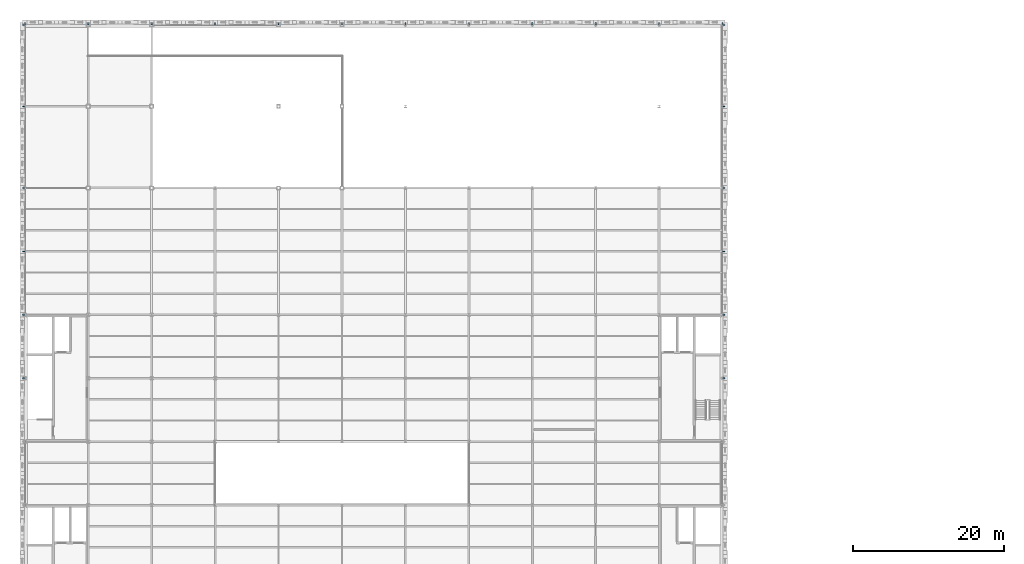
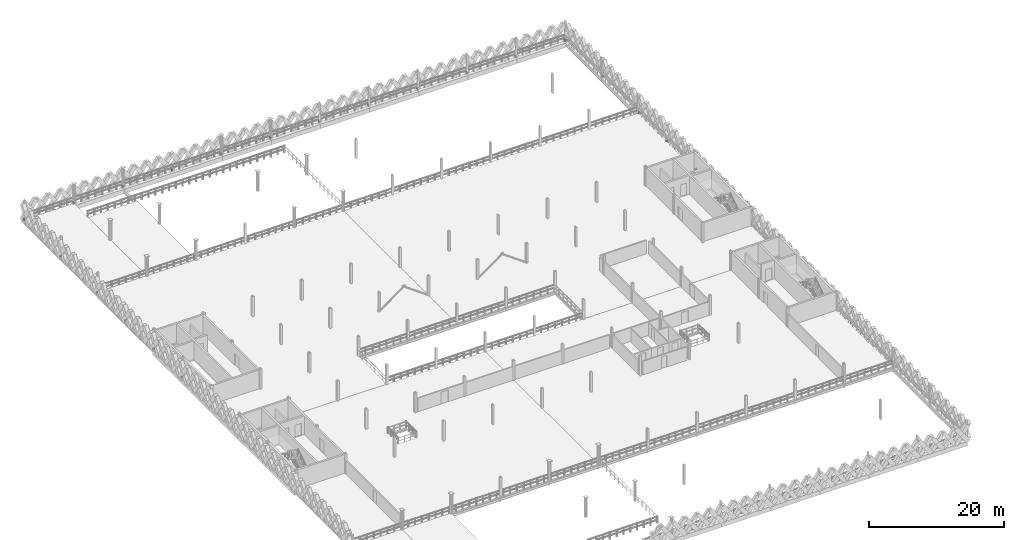
# One storey, part 30 of 47: 24 members.
"""IFC4 building model written with IfcOpenShell, lengths in metres."""

from ifc_helpers import new_model, si_unit, direction, frame, origin, origin_2d, place, context, subcontext, project, spatial, hollow_rectangle, extrude, material, material_profile, profile_set, type_object, element, save


model = new_model("IFC4")

# Units and contexts
model_context = context("Model", 3, precision=1e-05, world=origin(), true_north=direction((0.0, 1.0)))
body_context = subcontext(model_context, "Body", "Model", "MODEL_VIEW")
ifc_project = project(units=[si_unit("LENGTHUNIT", "METRE"), si_unit("AREAUNIT", "SQUARE_METRE"), si_unit("VOLUMEUNIT", "CUBIC_METRE"), si_unit("PLANEANGLEUNIT", "RADIAN"), si_unit("MASSUNIT", "GRAM", prefix="KILO"), si_unit("THERMODYNAMICTEMPERATUREUNIT", "KELVIN"), si_unit("POWERUNIT", "WATT")], contexts=[model_context])

# Site, building, storey
site_placement = place(None, origin())
site = spatial("IfcSite", under=ifc_project, at=site_placement, CompositionType="ELEMENT")
building_placement = place(site_placement, origin())
building = spatial("IfcBuilding", under=site, at=building_placement, Name="Tembeka Court Mobility Hub", CompositionType="ELEMENT")
storey_placement = place(building_placement, frame((0.0, 0.0, 19.800048828125)))
storey = spatial("IfcBuildingStorey", under=building, at=storey_placement, Name="L05", CompositionType="ELEMENT", Elevation=19.800048828125)

# Members
ifc_material = material(Name="Steel S355", Category="steel")
ifc_material_profile = material_profile(ifc_material, hollow_rectangle(XDim=0.14990234375, YDim=0.300048828125, WallThickness=0.010009765625, at=origin_2d()), Name="RHS 300x150x10")
ifc_profile_set = profile_set([ifc_material_profile], Name="Steel S355")
member_type = type_object("IfcMemberType", Name="MEM-ST03", PredefinedType="STRUT", material=ifc_profile_set)
for number, where, z_axis, x_axis, name in (
    (1, (0.0, 118.800048828125, 0.02001953125), (0.0, 1.0, 0.0), (-1.0, 0.0, 0.0), "Lattice outrigger tie SR03 (L05-Y-0)"),
    (2, (8.39990234375, 118.800048828125, 0.02001953125), (0.0, 1.0, 0.0), (-1.0, 0.0, 0.0), "Lattice outrigger tie SR03 (L05-Y-8)"),
    (3, (16.800048828125, 118.800048828125, 0.02001953125), (0.0, 1.0, 0.0), (-1.0, 0.0, 0.0), "Lattice outrigger tie SR03 (L05-Y-16)"),
    (4, (25.199951171875, 118.800048828125, 0.02001953125), (0.0, 1.0, 0.0), (-1.0, 0.0, 0.0), "Lattice outrigger tie SR03 (L05-Y-25)"),
    (5, (33.60009765625, 118.800048828125, 0.02001953125), (0.0, 1.0, 0.0), (-1.0, 0.0, 0.0), "Lattice outrigger tie SR03 (L05-Y-33)"),
    (6, (42.0, 118.800048828125, 0.02001953125), (0.0, 1.0, 0.0), (-1.0, 0.0, 0.0), "Lattice outrigger tie SR03 (L05-Y-42)"),
    (7, (50.39990234375, 118.800048828125, 0.02001953125), (0.0, 1.0, 0.0), (-1.0, 0.0, 0.0), "Lattice outrigger tie SR03 (L05-Y-50)"),
    (8, (58.800048828125, 118.800048828125, 0.02001953125), (0.0, 1.0, 0.0), (-1.0, 0.0, 0.0), "Lattice outrigger tie SR03 (L05-Y-58)"),
    (9, (67.199951171875, 118.800048828125, 0.02001953125), (0.0, 1.0, 0.0), (-1.0, 0.0, 0.0), "Lattice outrigger tie SR03 (L05-Y-67)"),
    (10, (75.60009765625, 118.800048828125, 0.02001953125), (0.0, 1.0, 0.0), (-1.0, 0.0, 0.0), "Lattice outrigger tie SR03 (L05-Y-75)"),
    (11, (84.0, 118.800048828125, 0.02001953125), (0.0, 1.0, 0.0), (-1.0, 0.0, 0.0), "Lattice outrigger tie SR03 (L05-Y-84)"),
    (12, (92.39990234375, 118.800048828125, 0.02001953125), (0.0, 1.0, 0.0), (-1.0, 0.0, 0.0), "Lattice outrigger tie SR03 (L05-Y-92)"),
):
    element("IfcMember", number, at=place(storey_placement, frame(where, z_axis=z_axis, x_axis=x_axis)), inside=storey, type_object=member_type, Name=name, PredefinedType="STRUT", context=body_context, shape_type="SweptSolid", body=[
        extrude(hollow_rectangle(XDim=0.14990234375, YDim=0.300048828125, WallThickness=0.010009765625, at=origin_2d()), origin(), (0.0, 0.0, 1.0), 0.33984375),
    ])
for number, where, z_axis, x_axis, name in (
    (13, (0.0, 72.0, 0.02001953125), (-1.0, 0.0, 0.0), (0.0, -1.0, 0.0), "Lattice outrigger tie SR03 (L05-X-72)"),
    (14, (92.39990234375, 72.0, 0.02001953125), (1.0, 0.0, 0.0), (0.0, 1.0, 0.0), "Lattice outrigger tie SR03 (L05-X-72)"),
    (15, (0.0, 80.39990234375, 0.02001953125), (-1.0, 0.0, 0.0), (0.0, -1.0, 0.0), "Lattice outrigger tie SR03 (L05-X-80)"),
    (16, (92.39990234375, 80.39990234375, 0.02001953125), (1.0, 0.0, 0.0), (0.0, 1.0, 0.0), "Lattice outrigger tie SR03 (L05-X-80)"),
    (17, (0.0, 88.800048828125, 0.02001953125), (-1.0, 0.0, 0.0), (0.0, -1.0, 0.0), "Lattice outrigger tie SR03 (L05-X-88)"),
    (18, (92.39990234375, 88.800048828125, 0.02001953125), (1.0, 0.0, 0.0), (0.0, 1.0, 0.0), "Lattice outrigger tie SR03 (L05-X-88)"),
    (19, (0.0, 97.199951171875, 0.02001953125), (-1.0, 0.0, 0.0), (0.0, -1.0, 0.0), "Lattice outrigger tie SR03 (L05-X-97)"),
    (20, (92.39990234375, 97.199951171875, 0.02001953125), (1.0, 0.0, 0.0), (0.0, 1.0, 0.0), "Lattice outrigger tie SR03 (L05-X-97)"),
    (21, (0.0, 108.0, 0.02001953125), (-1.0, 0.0, 0.0), (0.0, -1.0, 0.0), "Lattice outrigger tie SR03 (L05-X-108)"),
    (22, (92.39990234375, 108.0, 0.02001953125), (1.0, 0.0, 0.0), (0.0, 1.0, 0.0), "Lattice outrigger tie SR03 (L05-X-108)"),
    (23, (0.0, 118.800048828125, 0.02001953125), (-1.0, 0.0, 0.0), (0.0, -1.0, 0.0), "Lattice outrigger tie SR03 (L05-X-118)"),
    (24, (92.39990234375, 118.800048828125, 0.02001953125), (1.0, 0.0, 0.0), (0.0, 1.0, 0.0), "Lattice outrigger tie SR03 (L05-X-118)"),
):
    element("IfcMember", number, at=place(storey_placement, frame(where, z_axis=z_axis, x_axis=x_axis)), inside=storey, type_object=member_type, Name=name, PredefinedType="STRUT", context=body_context, shape_type="SweptSolid", body=[
        extrude(hollow_rectangle(XDim=0.14990234375, YDim=0.300048828125, WallThickness=0.010009765625, at=origin_2d()), origin(), (0.0, 0.0, 1.0), 0.340087890625),
    ])

save(model, "model.ifc")
